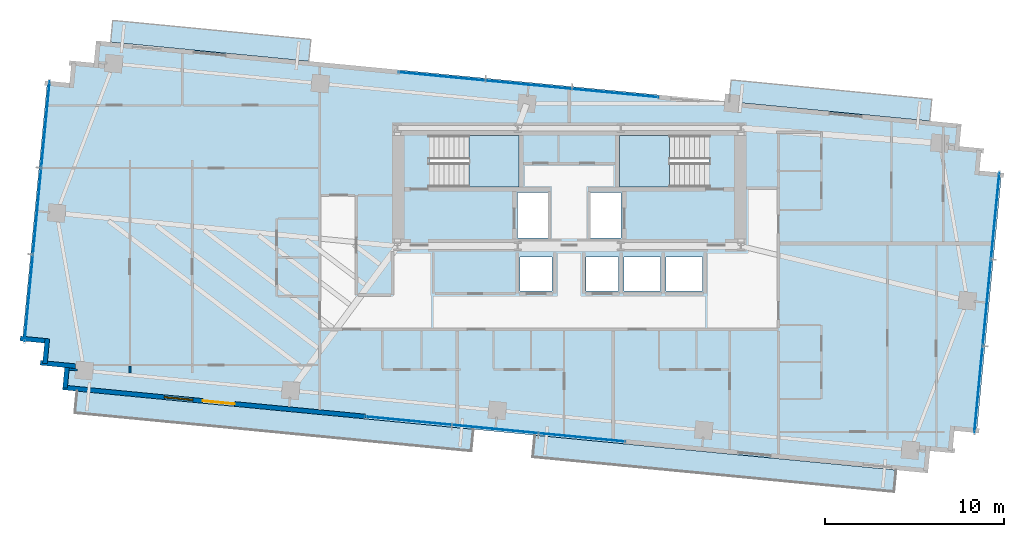
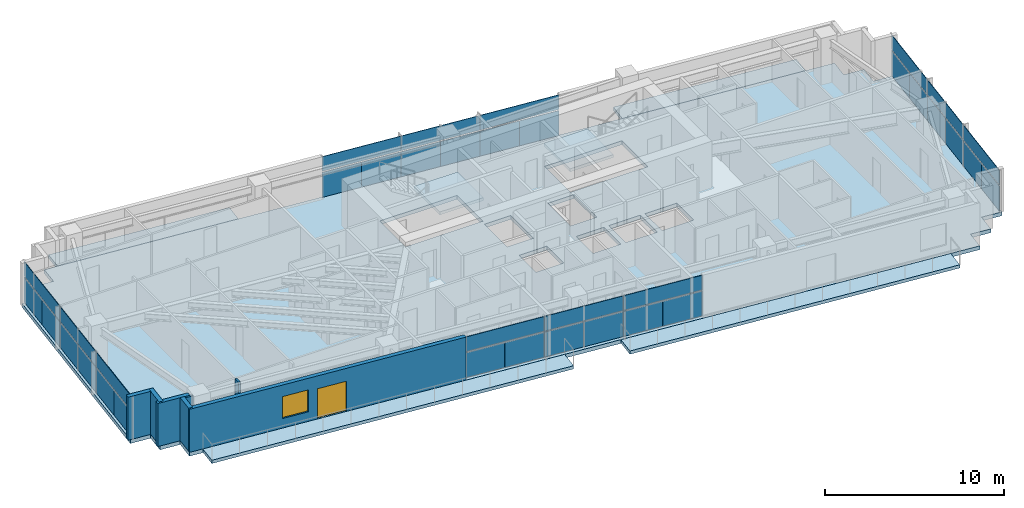
# One storey, part 13 of 19: 36 plates, 7 slabs, 7 walls, 1 door, 1 window, 2 openings, 6 elements without a shape of their own.
"""IFC4 building model written with IfcOpenShell, lengths in metres."""

from ifc_helpers import new_model, si_unit, direction, frame, frame_2d, origin, origin_2d, place, context, subcontext, project, spatial, polyline, rectangle, outline, extrude, source, transform, mapped, material, layer, layer_set, type_object, type_shapes, element, fill, aggregate, save


model = new_model("IFC4")

# Units and contexts
model_context = context("Model", 3, precision=1e-05, world=origin(), true_north=direction((0.0, 1.0)))
body_context = subcontext(model_context, "Body", "Model", "MODEL_VIEW")
ifc_project = project(units=[si_unit("LENGTHUNIT", "METRE"), si_unit("AREAUNIT", "SQUARE_METRE"), si_unit("VOLUMEUNIT", "CUBIC_METRE"), si_unit("PLANEANGLEUNIT", "RADIAN"), si_unit("MASSUNIT", "GRAM", prefix="KILO")], contexts=[model_context])

# Site, building, storey
site_placement = place(None, origin())
site = spatial("IfcSite", under=ifc_project, at=site_placement, CompositionType="ELEMENT")
building_placement = place(site_placement, origin())
building = spatial("IfcBuilding", under=site, at=building_placement, Name="Astriad Promenade Condominiums", CompositionType="ELEMENT")
storey_placement = place(building_placement, frame((0.0, 0.0, 140.60009765625)))
storey = spatial("IfcBuildingStorey", under=building, at=storey_placement, Name="L40", CompositionType="ELEMENT", Elevation=140.60009765625)

# Slab
ifc_material_1 = material(Name="Concrete C50/60", Category="concrete")
ifc_layer_1 = layer(ifc_material_1, 0.260009765625)
ifc_layer_set_1 = layer_set([ifc_layer_1], Name="Concrete C50/60")
slab_type_1 = type_object("IfcSlabType", Name="CONCRETE TOWER FLOOR SLAB 260", PredefinedType="FLOOR", material=ifc_layer_set_1)
slab_1_placement = place(storey_placement, frame((0.0, 0.0, -0.260009765625)))
element("IfcSlab", 1, at=slab_1_placement, inside=storey, type_object=slab_type_1, Name="Structural Floor Slab (L40)", PredefinedType="FLOOR", context=body_context, shape_type="SweptSolid", body=[
    extrude(outline(polyline([(7.672607421875, 9.374267578125), (56.048828125, 4.716064453125), (56.168701171875, 5.960205078125), (57.412841796875, 5.840576171875), (57.53271484375, 7.084716796875), (58.77685546875, 6.96484375), (60.17626953125, 21.497802734375), (58.931884765625, 21.617431640625), (59.052001953125, 22.86181640625), (57.8076171875, 22.981689453125), (57.927490234375, 24.225830078125), (9.55126953125, 28.8837890625), (9.431396484375, 27.6396484375), (8.18701171875, 27.759521484375), (8.0673828125, 26.515380859375), (6.822998046875, 26.635009765625), (5.423583984375, 12.102294921875), (6.66796875, 11.982421875), (6.548095703125, 10.73828125), (7.79248046875, 10.618408203125), (7.672607421875, 9.374267578125)]), holes=[polyline([(28.175048828125, 20.699951171875), (33.175048828125, 20.699951171875), (33.175048828125, 23.60009765625), (28.175048828125, 23.60009765625), (28.175048828125, 20.699951171875)]), polyline([(38.824951171875, 20.699951171875), (43.824951171875, 20.699951171875), (43.824951171875, 23.60009765625), (38.824951171875, 23.60009765625), (38.824951171875, 20.699951171875)]), polyline([(33.10009765625, 17.85009765625), (34.800048828125, 17.85009765625), (34.800048828125, 20.39990234375), (33.10009765625, 20.39990234375), (33.10009765625, 17.85009765625)]), polyline([(37.199951171875, 17.85009765625), (38.89990234375, 17.85009765625), (38.89990234375, 20.39990234375), (37.199951171875, 20.39990234375), (37.199951171875, 17.85009765625)]), polyline([(33.25, 14.89990234375), (35.050048828125, 14.89990234375), (35.050048828125, 16.800048828125), (33.25, 16.800048828125), (33.25, 14.89990234375)]), polyline([(36.949951171875, 14.89990234375), (38.75, 14.89990234375), (38.75, 16.800048828125), (36.949951171875, 16.800048828125), (36.949951171875, 14.89990234375)]), polyline([(39.050048828125, 14.89990234375), (41.10009765625, 14.89990234375), (41.10009765625, 16.800048828125), (39.050048828125, 16.800048828125), (39.050048828125, 14.89990234375)]), polyline([(41.39990234375, 14.89990234375), (43.449951171875, 14.89990234375), (43.449951171875, 16.800048828125), (41.39990234375, 16.800048828125), (41.39990234375, 14.89990234375)])]), origin(), (0.0, 0.0, 1.0), 0.260009765625),
])

# Stair, slab
stair_type = type_object("IfcStairType", Name="STR-CORE-1350", PredefinedType="HALF_TURN_STAIR", material=ifc_material_1)
stair_1_placement = place(storey_placement, origin())
stair_1 = element("IfcStair", 2, at=stair_1_placement, inside=storey, type_object=stair_type, Name="L40 Enclosed Core Exit Stair ST-1", PredefinedType="HALF_TURN_STAIR")
ifc_layer_2 = layer(ifc_material_1, 0.219970703125)
ifc_layer_set_2 = layer_set([ifc_layer_2], Name="Concrete C50/60")
slab_type_2 = type_object("IfcSlabType", Name="SLB-LANDING-220", PredefinedType="LANDING", material=ifc_layer_set_2)
slab_2_placement = place(storey_placement, frame((0.0, 0.0, 1.39990234375)))
slab_2 = element("IfcSlab", 3, at=slab_2_placement, type_object=slab_type_2, Name="ST-1 landing 1", PredefinedType="LANDING", context=body_context, shape_type="SweptSolid", body=[
    extrude(outline(polyline([(30.389892578125, 20.699951171875), (33.199951171875, 20.699951171875), (33.199951171875, 23.60009765625), (30.389892578125, 23.60009765625), (30.389892578125, 20.699951171875)])), origin(), (0.0, 0.0, 1.0), 0.199951171875),
])
aggregate(stair_1, [slab_2])

stair_2_placement = place(storey_placement, origin())
stair_2 = element("IfcStair", 4, at=stair_2_placement, inside=storey, type_object=stair_type, Name="L40 Enclosed Core Exit Stair ST-2", PredefinedType="HALF_TURN_STAIR")
slab_3_placement = place(storey_placement, frame((0.0, 0.0, 1.39990234375)))
slab_3 = element("IfcSlab", 5, at=slab_3_placement, type_object=slab_type_2, Name="ST-2 landing 1", PredefinedType="LANDING", context=body_context, shape_type="SweptSolid", body=[
    extrude(outline(polyline([(41.610107421875, 23.60009765625), (38.800048828125, 23.60009765625), (38.800048828125, 20.699951171875), (41.610107421875, 20.699951171875), (41.610107421875, 23.60009765625)])), origin(), (0.0, 0.0, 1.0), 0.199951171875),
])
aggregate(stair_2, [slab_3])

# Slabs
ifc_material_2 = material(Name="Precast concrete C50/60", Category="concrete")
ifc_layer_3 = layer(ifc_material_2, 0.219970703125)
ifc_layer_set_3 = layer_set([ifc_layer_3], Name="Precast concrete C50/60")
slab_type_3 = type_object("IfcSlabType", Name="WHITE PRECAST CONCRETE WAVE BALCONY SLAB 220", PredefinedType="FLOOR", material=ifc_layer_set_3)
slab_4_placement = place(storey_placement, frame((0.0, 0.0, -0.22021484375)))
element("IfcSlab", 6, at=slab_4_placement, inside=storey, type_object=slab_type_3, Name="White Precast Wave Balcony Slab BAL-L40-SW", PredefinedType="FLOOR", context=body_context, shape_type="SweptSolid", body=[
    extrude(outline(polyline([(30.517578125, 5.94873046875), (8.367919921875, 8.08154296875), (8.484619140625, 9.2939453125), (30.63427734375, 7.1611328125), (30.517578125, 5.94873046875)])), origin(), (0.0, 0.0, 1.0), 0.22021484375),
])
slab_5_placement = place(storey_placement, frame((0.0, 0.0, -0.22021484375)))
element("IfcSlab", 7, at=slab_5_placement, inside=storey, type_object=slab_type_3, Name="White Precast Wave Balcony Slab BAL-L40-SE", PredefinedType="FLOOR", context=body_context, shape_type="SweptSolid", body=[
    extrude(outline(polyline([(54.154052734375, 3.6728515625), (33.96044921875, 5.6171875), (34.077392578125, 6.82958984375), (54.27099609375, 4.88525390625), (54.154052734375, 3.6728515625)])), origin(), (0.0, 0.0, 1.0), 0.22021484375),
])
slab_6_placement = place(storey_placement, frame((0.0, 0.0, -0.22021484375)))
element("IfcSlab", 8, at=slab_6_placement, inside=storey, type_object=slab_type_3, Name="White Precast Wave Balcony Slab BAL-L40-NW", PredefinedType="FLOOR", context=body_context, shape_type="SweptSolid", body=[
    extrude(outline(polyline([(10.480224609375, 30.02001953125), (21.552978515625, 28.953857421875), (21.436279296875, 27.741455078125), (10.363525390625, 28.8076171875), (10.480224609375, 30.02001953125)])), origin(), (0.0, 0.0, 1.0), 0.22021484375),
])
slab_7_placement = place(storey_placement, frame((0.0, 0.0, -0.22021484375)))
element("IfcSlab", 9, at=slab_7_placement, inside=storey, type_object=slab_type_3, Name="White Precast Wave Balcony Slab BAL-L40-NE", PredefinedType="FLOOR", context=body_context, shape_type="SweptSolid", body=[
    extrude(outline(polyline([(44.9375, 25.4765625), (56.149658203125, 24.39697265625), (56.2666015625, 25.611328125), (45.054443359375, 26.69091796875), (44.9375, 25.4765625)])), origin(), (0.0, 0.0, 1.0), 0.22021484375),
])

# Curtain wall, plates
ifc_material_3 = material(Name="Anodised aluminium Black Dark Glass Unitised", Category="aluminium")
curtain_wall_type = type_object("IfcCurtainWallType", Name="CW-B34-DARK", PredefinedType="USERDEFINED", material=ifc_material_3)
curtain_wall_1_placement = place(storey_placement, origin())
curtain_wall_1 = element("IfcCurtainWall", 10, at=curtain_wall_1_placement, inside=storey, type_object=curtain_wall_type, Name="CW-L40-W", ObjectType="UNITISED_CURTAIN_WALL", PredefinedType="USERDEFINED")
ifc_material_4 = material(Name="Dark Tinted Low-E Laminated Glass", Category="glass")
ifc_layer_4 = layer(ifc_material_4, 0.035888671875)
ifc_layer_set_4 = layer_set([ifc_layer_4], Name="Dark Tinted Low-E Laminated Glass")
plate_type = type_object("IfcPlateType", Name="PNL-DARK-GLASS-36", PredefinedType="CURTAIN_PANEL", material=ifc_layer_set_4)
shared_shape_1 = source(origin(), body_context, "Body", "SweptSolid", [
    extrude(rectangle(XDim=2.42138671875, YDim=0.035888671875, at=origin_2d()), origin(), (0.0, 0.0, 1.0), 1.702880859375),
])
plate_1_placement = place(storey_placement, frame((5.669677734375, 13.30078125, 0.080078125), z_axis=(0.0, 0.0, 1.0), x_axis=(0.09584575252, 0.995396198367, 0.0)))
plate_1 = element("IfcPlate", 11, at=plate_1_placement, type_object=plate_type, Name="CW-L40-W-PNL-00-VL", PredefinedType="CURTAIN_PANEL", context=body_context, shape_type="MappedRepresentation", body=[
    mapped(shared_shape_1, transform((0.0, 0.0, 0.0), scale=1.0)),
])
plate_2_placement = place(storey_placement, frame((5.903076171875, 15.722900390625, 0.080078125), z_axis=(0.0, 0.0, 1.0), x_axis=(0.09584575252, 0.995396198367, 0.0)))
plate_2 = element("IfcPlate", 12, at=plate_2_placement, type_object=plate_type, Name="CW-L40-W-PNL-00-VR", PredefinedType="CURTAIN_PANEL", context=body_context, shape_type="MappedRepresentation", body=[
    mapped(shared_shape_1, transform((0.0, 0.0, 0.0), scale=1.0)),
])
plate_3_placement = place(storey_placement, frame((6.13623046875, 18.145263671875, 0.080078125), z_axis=(0.0, 0.0, 1.0), x_axis=(0.09584575252, 0.995396198367, 0.0)))
plate_3 = element("IfcPlate", 13, at=plate_3_placement, type_object=plate_type, Name="CW-L40-W-PNL-01-VL", PredefinedType="CURTAIN_PANEL", context=body_context, shape_type="MappedRepresentation", body=[
    mapped(shared_shape_1, transform((0.0, 0.0, 0.0), scale=1.0)),
])
plate_4_placement = place(storey_placement, frame((6.369384765625, 20.5673828125, 0.080078125), z_axis=(0.0, 0.0, 1.0), x_axis=(0.09584575252, 0.995396198367, 0.0)))
plate_4 = element("IfcPlate", 14, at=plate_4_placement, type_object=plate_type, Name="CW-L40-W-PNL-01-VR", PredefinedType="CURTAIN_PANEL", context=body_context, shape_type="MappedRepresentation", body=[
    mapped(shared_shape_1, transform((0.0, 0.0, 0.0), scale=1.0)),
])
plate_5_placement = place(storey_placement, frame((6.6025390625, 22.989501953125, 0.080078125), z_axis=(0.0, 0.0, 1.0), x_axis=(0.09584575252, 0.995396198367, 0.0)))
plate_5 = element("IfcPlate", 15, at=plate_5_placement, type_object=plate_type, Name="CW-L40-W-PNL-02-VL", PredefinedType="CURTAIN_PANEL", context=body_context, shape_type="MappedRepresentation", body=[
    mapped(shared_shape_1, transform((0.0, 0.0, 0.0), scale=1.0)),
])
plate_6_placement = place(storey_placement, frame((6.8359375, 25.41162109375, 0.080078125), z_axis=(0.0, 0.0, 1.0), x_axis=(0.09584575252, 0.995396198367, 0.0)))
plate_6 = element("IfcPlate", 16, at=plate_6_placement, type_object=plate_type, Name="CW-L40-W-PNL-02-VR", PredefinedType="CURTAIN_PANEL", context=body_context, shape_type="MappedRepresentation", body=[
    mapped(shared_shape_1, transform((0.0, 0.0, 0.0), scale=1.0)),
])

curtain_wall_2_placement = place(storey_placement, origin())
curtain_wall_2 = element("IfcCurtainWall", 17, at=curtain_wall_2_placement, inside=storey, type_object=curtain_wall_type, Name="CW-L40-E", ObjectType="UNITISED_CURTAIN_WALL", PredefinedType="USERDEFINED")
plate_7_placement = place(storey_placement, frame((59.930419921875, 20.299072265625, 0.080078125), z_axis=(0.0, 0.0, 1.0), x_axis=(-0.09584575252, -0.995396198367, 0.0)))
plate_7 = element("IfcPlate", 18, at=plate_7_placement, type_object=plate_type, Name="CW-L40-E-PNL-00-VL", PredefinedType="CURTAIN_PANEL", context=body_context, shape_type="MappedRepresentation", body=[
    mapped(shared_shape_1, transform((0.0, 0.0, 0.0), scale=1.0)),
])
plate_8_placement = place(storey_placement, frame((59.697021484375, 17.876953125, 0.080078125), z_axis=(0.0, 0.0, 1.0), x_axis=(-0.09584575252, -0.995396198367, 0.0)))
plate_8 = element("IfcPlate", 19, at=plate_8_placement, type_object=plate_type, Name="CW-L40-E-PNL-00-VR", PredefinedType="CURTAIN_PANEL", context=body_context, shape_type="MappedRepresentation", body=[
    mapped(shared_shape_1, transform((0.0, 0.0, 0.0), scale=1.0)),
])
plate_9_placement = place(storey_placement, frame((59.4638671875, 15.454833984375, 0.080078125), z_axis=(0.0, 0.0, 1.0), x_axis=(-0.09584575252, -0.995396198367, 0.0)))
plate_9 = element("IfcPlate", 20, at=plate_9_placement, type_object=plate_type, Name="CW-L40-E-PNL-01-VL", PredefinedType="CURTAIN_PANEL", context=body_context, shape_type="MappedRepresentation", body=[
    mapped(shared_shape_1, transform((0.0, 0.0, 0.0), scale=1.0)),
])
plate_10_placement = place(storey_placement, frame((59.230712890625, 13.03271484375, 0.080078125), z_axis=(0.0, 0.0, 1.0), x_axis=(-0.09584575252, -0.995396198367, 0.0)))
plate_10 = element("IfcPlate", 21, at=plate_10_placement, type_object=plate_type, Name="CW-L40-E-PNL-01-VR", PredefinedType="CURTAIN_PANEL", context=body_context, shape_type="MappedRepresentation", body=[
    mapped(shared_shape_1, transform((0.0, 0.0, 0.0), scale=1.0)),
])
plate_11_placement = place(storey_placement, frame((58.997314453125, 10.610595703125, 0.080078125), z_axis=(0.0, 0.0, 1.0), x_axis=(-0.09584575252, -0.995396198367, 0.0)))
plate_11 = element("IfcPlate", 22, at=plate_11_placement, type_object=plate_type, Name="CW-L40-E-PNL-02-VL", PredefinedType="CURTAIN_PANEL", context=body_context, shape_type="MappedRepresentation", body=[
    mapped(shared_shape_1, transform((0.0, 0.0, 0.0), scale=1.0)),
])
plate_12_placement = place(storey_placement, frame((58.76416015625, 8.1884765625, 0.080078125), z_axis=(0.0, 0.0, 1.0), x_axis=(-0.09584575252, -0.995396198367, 0.0)))
plate_12 = element("IfcPlate", 23, at=plate_12_placement, type_object=plate_type, Name="CW-L40-E-PNL-02-VR", PredefinedType="CURTAIN_PANEL", context=body_context, shape_type="MappedRepresentation", body=[
    mapped(shared_shape_1, transform((0.0, 0.0, 0.0), scale=1.0)),
])

# Plate
shared_shape_2 = source(origin(), body_context, "Body", "SweptSolid", [
    extrude(rectangle(XDim=4.854736328125, YDim=0.035888671875, at=origin_2d()), origin(), (0.0, 0.0, 1.0), 0.997314453125),
])
plate_13_placement = place(storey_placement, frame((5.786376953125, 14.511962890625, 1.86279296875), z_axis=(0.0, 0.0, 1.0), x_axis=(0.09584575252, 0.995396198367, 0.0)))
plate_13 = element("IfcPlate", 24, at=plate_13_placement, type_object=plate_type, Name="CW-L40-W-PNL-00-S", PredefinedType="CURTAIN_PANEL", context=body_context, shape_type="MappedRepresentation", body=[
    mapped(shared_shape_2, transform((0.0, 0.0, 0.0), scale=1.0)),
])

plate_14_placement = place(storey_placement, frame((6.252685546875, 19.356201171875, 1.86279296875), z_axis=(0.0, 0.0, 1.0), x_axis=(0.09584575252, 0.995396198367, 0.0)))
plate_14 = element("IfcPlate", 25, at=plate_14_placement, type_object=plate_type, Name="CW-L40-W-PNL-01-S", PredefinedType="CURTAIN_PANEL", context=body_context, shape_type="MappedRepresentation", body=[
    mapped(shared_shape_2, transform((0.0, 0.0, 0.0), scale=1.0)),
])

plate_15_placement = place(storey_placement, frame((6.71923828125, 24.200439453125, 1.86279296875), z_axis=(0.0, 0.0, 1.0), x_axis=(0.09584575252, 0.995396198367, 0.0)))
plate_15 = element("IfcPlate", 26, at=plate_15_placement, type_object=plate_type, Name="CW-L40-W-PNL-02-S", PredefinedType="CURTAIN_PANEL", context=body_context, shape_type="MappedRepresentation", body=[
    mapped(shared_shape_2, transform((0.0, 0.0, 0.0), scale=1.0)),
])

aggregate(curtain_wall_1, [plate_1, plate_2, plate_13, plate_3, plate_4, plate_14, plate_5, plate_6, plate_15])

plate_16_placement = place(storey_placement, frame((59.813720703125, 19.088134765625, 1.86279296875), z_axis=(0.0, 0.0, 1.0), x_axis=(-0.09584575252, -0.995396198367, 0.0)))
plate_16 = element("IfcPlate", 27, at=plate_16_placement, type_object=plate_type, Name="CW-L40-E-PNL-00-S", PredefinedType="CURTAIN_PANEL", context=body_context, shape_type="MappedRepresentation", body=[
    mapped(shared_shape_2, transform((0.0, 0.0, 0.0), scale=1.0)),
])

plate_17_placement = place(storey_placement, frame((59.34716796875, 14.243896484375, 1.86279296875), z_axis=(0.0, 0.0, 1.0), x_axis=(-0.09584575252, -0.995396198367, 0.0)))
plate_17 = element("IfcPlate", 28, at=plate_17_placement, type_object=plate_type, Name="CW-L40-E-PNL-01-S", PredefinedType="CURTAIN_PANEL", context=body_context, shape_type="MappedRepresentation", body=[
    mapped(shared_shape_2, transform((0.0, 0.0, 0.0), scale=1.0)),
])

plate_18_placement = place(storey_placement, frame((58.880615234375, 9.3994140625, 1.86279296875), z_axis=(0.0, 0.0, 1.0), x_axis=(-0.09584575252, -0.995396198367, 0.0)))
plate_18 = element("IfcPlate", 29, at=plate_18_placement, type_object=plate_type, Name="CW-L40-E-PNL-02-S", PredefinedType="CURTAIN_PANEL", context=body_context, shape_type="MappedRepresentation", body=[
    mapped(shared_shape_2, transform((0.0, 0.0, 0.0), scale=1.0)),
])

aggregate(curtain_wall_2, [plate_7, plate_8, plate_16, plate_9, plate_10, plate_17, plate_11, plate_12, plate_18])

# Curtain wall, plates
curtain_wall_3_placement = place(storey_placement, origin())
curtain_wall_3 = element("IfcCurtainWall", 30, at=curtain_wall_3_placement, inside=storey, type_object=curtain_wall_type, Name="CW-L40-N", ObjectType="UNITISED_CURTAIN_WALL", PredefinedType="USERDEFINED")
shared_shape_3 = source(origin(), body_context, "Body", "SweptSolid", [
    extrude(rectangle(XDim=2.41796875, YDim=0.035888671875, at=origin_2d()), origin(), (0.0, 0.0, 1.0), 1.702880859375),
])
plate_19_placement = place(storey_placement, frame((27.6796875, 27.0078125, 0.080078125), z_axis=(0.0, 0.0, 1.0), x_axis=(0.995396198367, -0.09584575252, 0.0)))
plate_19 = element("IfcPlate", 31, at=plate_19_placement, type_object=plate_type, Name="CW-L40-N-PNL-00-VL", PredefinedType="CURTAIN_PANEL", context=body_context, shape_type="MappedRepresentation", body=[
    mapped(shared_shape_3, transform((0.0, 0.0, 0.0), scale=1.0)),
])
plate_20_placement = place(storey_placement, frame((30.0986328125, 26.77490234375, 0.080078125), z_axis=(0.0, 0.0, 1.0), x_axis=(0.995396198367, -0.09584575252, 0.0)))
plate_20 = element("IfcPlate", 32, at=plate_20_placement, type_object=plate_type, Name="CW-L40-N-PNL-00-VR", PredefinedType="CURTAIN_PANEL", context=body_context, shape_type="MappedRepresentation", body=[
    mapped(shared_shape_3, transform((0.0, 0.0, 0.0), scale=1.0)),
])
plate_21_placement = place(storey_placement, frame((32.517333984375, 26.5419921875, 0.080078125), z_axis=(0.0, 0.0, 1.0), x_axis=(0.995396198367, -0.09584575252, 0.0)))
plate_21 = element("IfcPlate", 33, at=plate_21_placement, type_object=plate_type, Name="CW-L40-N-PNL-01-VL", PredefinedType="CURTAIN_PANEL", context=body_context, shape_type="MappedRepresentation", body=[
    mapped(shared_shape_3, transform((0.0, 0.0, 0.0), scale=1.0)),
])
plate_22_placement = place(storey_placement, frame((34.936279296875, 26.30908203125, 0.080078125), z_axis=(0.0, 0.0, 1.0), x_axis=(0.995396198367, -0.09584575252, 0.0)))
plate_22 = element("IfcPlate", 34, at=plate_22_placement, type_object=plate_type, Name="CW-L40-N-PNL-01-VR", PredefinedType="CURTAIN_PANEL", context=body_context, shape_type="MappedRepresentation", body=[
    mapped(shared_shape_3, transform((0.0, 0.0, 0.0), scale=1.0)),
])
plate_23_placement = place(storey_placement, frame((37.35498046875, 26.075927734375, 0.080078125), z_axis=(0.0, 0.0, 1.0), x_axis=(0.995396198367, -0.09584575252, 0.0)))
plate_23 = element("IfcPlate", 35, at=plate_23_placement, type_object=plate_type, Name="CW-L40-N-PNL-02-VL", PredefinedType="CURTAIN_PANEL", context=body_context, shape_type="MappedRepresentation", body=[
    mapped(shared_shape_3, transform((0.0, 0.0, 0.0), scale=1.0)),
])
plate_24_placement = place(storey_placement, frame((39.77392578125, 25.84326171875, 0.080078125), z_axis=(0.0, 0.0, 1.0), x_axis=(0.995396198367, -0.09584575252, 0.0)))
plate_24 = element("IfcPlate", 36, at=plate_24_placement, type_object=plate_type, Name="CW-L40-N-PNL-02-VR", PredefinedType="CURTAIN_PANEL", context=body_context, shape_type="MappedRepresentation", body=[
    mapped(shared_shape_3, transform((0.0, 0.0, 0.0), scale=1.0)),
])

curtain_wall_4_placement = place(storey_placement, origin())
curtain_wall_4 = element("IfcCurtainWall", 37, at=curtain_wall_4_placement, inside=storey, type_object=curtain_wall_type, Name="CW-L40-S", ObjectType="UNITISED_CURTAIN_WALL", PredefinedType="USERDEFINED")
plate_25_placement = place(storey_placement, frame((37.920166015625, 6.59228515625, 0.080078125), z_axis=(0.0, 0.0, 1.0), x_axis=(-0.995396198367, 0.09584575252, 0.0)))
plate_25 = element("IfcPlate", 38, at=plate_25_placement, type_object=plate_type, Name="CW-L40-S-PNL-00-VL", PredefinedType="CURTAIN_PANEL", context=body_context, shape_type="MappedRepresentation", body=[
    mapped(shared_shape_3, transform((0.0, 0.0, 0.0), scale=1.0)),
])
plate_26_placement = place(storey_placement, frame((35.50146484375, 6.8251953125, 0.080078125), z_axis=(0.0, 0.0, 1.0), x_axis=(-0.995396198367, 0.09584575252, 0.0)))
plate_26 = element("IfcPlate", 39, at=plate_26_placement, type_object=plate_type, Name="CW-L40-S-PNL-00-VR", PredefinedType="CURTAIN_PANEL", context=body_context, shape_type="MappedRepresentation", body=[
    mapped(shared_shape_3, transform((0.0, 0.0, 0.0), scale=1.0)),
])
plate_27_placement = place(storey_placement, frame((33.08251953125, 7.05810546875, 0.080078125), z_axis=(0.0, 0.0, 1.0), x_axis=(-0.995396198367, 0.09584575252, 0.0)))
plate_27 = element("IfcPlate", 40, at=plate_27_placement, type_object=plate_type, Name="CW-L40-S-PNL-01-VL", PredefinedType="CURTAIN_PANEL", context=body_context, shape_type="MappedRepresentation", body=[
    mapped(shared_shape_3, transform((0.0, 0.0, 0.0), scale=1.0)),
])
plate_28_placement = place(storey_placement, frame((30.663818359375, 7.291015625, 0.080078125), z_axis=(0.0, 0.0, 1.0), x_axis=(-0.995396198367, 0.09584575252, 0.0)))
plate_28 = element("IfcPlate", 41, at=plate_28_placement, type_object=plate_type, Name="CW-L40-S-PNL-01-VR", PredefinedType="CURTAIN_PANEL", context=body_context, shape_type="MappedRepresentation", body=[
    mapped(shared_shape_3, transform((0.0, 0.0, 0.0), scale=1.0)),
])
plate_29_placement = place(storey_placement, frame((28.244873046875, 7.52392578125, 0.080078125), z_axis=(0.0, 0.0, 1.0), x_axis=(-0.995396198367, 0.09584575252, 0.0)))
plate_29 = element("IfcPlate", 42, at=plate_29_placement, type_object=plate_type, Name="CW-L40-S-PNL-02-VL", PredefinedType="CURTAIN_PANEL", context=body_context, shape_type="MappedRepresentation", body=[
    mapped(shared_shape_3, transform((0.0, 0.0, 0.0), scale=1.0)),
])
plate_30_placement = place(storey_placement, frame((25.826171875, 7.7568359375, 0.080078125), z_axis=(0.0, 0.0, 1.0), x_axis=(-0.995396198367, 0.09584575252, 0.0)))
plate_30 = element("IfcPlate", 43, at=plate_30_placement, type_object=plate_type, Name="CW-L40-S-PNL-02-VR", PredefinedType="CURTAIN_PANEL", context=body_context, shape_type="MappedRepresentation", body=[
    mapped(shared_shape_3, transform((0.0, 0.0, 0.0), scale=1.0)),
])

# Plate
shared_shape_4 = source(origin(), body_context, "Body", "SweptSolid", [
    extrude(rectangle(XDim=4.847900390625, YDim=0.035888671875, at=origin_2d()), origin(), (0.0, 0.0, 1.0), 0.997314453125),
])
type_shapes(plate_type, [shared_shape_1, shared_shape_2, shared_shape_3, shared_shape_4])
plate_31_placement = place(storey_placement, frame((28.88916015625, 26.891357421875, 1.86279296875), z_axis=(0.0, 0.0, 1.0), x_axis=(0.995396198367, -0.09584575252, 0.0)))
plate_31 = element("IfcPlate", 44, at=plate_31_placement, type_object=plate_type, Name="CW-L40-N-PNL-00-S", PredefinedType="CURTAIN_PANEL", context=body_context, shape_type="MappedRepresentation", body=[
    mapped(shared_shape_4, transform((0.0, 0.0, 0.0), scale=1.0)),
])

plate_32_placement = place(storey_placement, frame((33.726806640625, 26.42529296875, 1.86279296875), z_axis=(0.0, 0.0, 1.0), x_axis=(0.995396198367, -0.09584575252, 0.0)))
plate_32 = element("IfcPlate", 45, at=plate_32_placement, type_object=plate_type, Name="CW-L40-N-PNL-01-S", PredefinedType="CURTAIN_PANEL", context=body_context, shape_type="MappedRepresentation", body=[
    mapped(shared_shape_4, transform((0.0, 0.0, 0.0), scale=1.0)),
])

plate_33_placement = place(storey_placement, frame((38.564453125, 25.959716796875, 1.86279296875), z_axis=(0.0, 0.0, 1.0), x_axis=(0.995396198367, -0.09584575252, 0.0)))
plate_33 = element("IfcPlate", 46, at=plate_33_placement, type_object=plate_type, Name="CW-L40-N-PNL-02-S", PredefinedType="CURTAIN_PANEL", context=body_context, shape_type="MappedRepresentation", body=[
    mapped(shared_shape_4, transform((0.0, 0.0, 0.0), scale=1.0)),
])

aggregate(curtain_wall_3, [plate_19, plate_20, plate_31, plate_21, plate_22, plate_32, plate_23, plate_24, plate_33])

plate_34_placement = place(storey_placement, frame((36.710693359375, 6.708740234375, 1.86279296875), z_axis=(0.0, 0.0, 1.0), x_axis=(-0.995396198367, 0.09584575252, 0.0)))
plate_34 = element("IfcPlate", 47, at=plate_34_placement, type_object=plate_type, Name="CW-L40-S-PNL-00-S", PredefinedType="CURTAIN_PANEL", context=body_context, shape_type="MappedRepresentation", body=[
    mapped(shared_shape_4, transform((0.0, 0.0, 0.0), scale=1.0)),
])

plate_35_placement = place(storey_placement, frame((31.873291015625, 7.174560546875, 1.86279296875), z_axis=(0.0, 0.0, 1.0), x_axis=(-0.995396198367, 0.09584575252, 0.0)))
plate_35 = element("IfcPlate", 48, at=plate_35_placement, type_object=plate_type, Name="CW-L40-S-PNL-01-S", PredefinedType="CURTAIN_PANEL", context=body_context, shape_type="MappedRepresentation", body=[
    mapped(shared_shape_4, transform((0.0, 0.0, 0.0), scale=1.0)),
])

plate_36_placement = place(storey_placement, frame((27.035400390625, 7.640380859375, 1.86279296875), z_axis=(0.0, 0.0, 1.0), x_axis=(-0.995396198367, 0.09584575252, 0.0)))
plate_36 = element("IfcPlate", 49, at=plate_36_placement, type_object=plate_type, Name="CW-L40-S-PNL-02-S", PredefinedType="CURTAIN_PANEL", context=body_context, shape_type="MappedRepresentation", body=[
    mapped(shared_shape_4, transform((0.0, 0.0, 0.0), scale=1.0)),
])

aggregate(curtain_wall_4, [plate_25, plate_26, plate_34, plate_27, plate_28, plate_35, plate_29, plate_30, plate_36])

# Walls
ifc_layer_5 = layer(ifc_material_2, 0.260009765625)
ifc_layer_set_5 = layer_set([ifc_layer_5], Name="Precast concrete C50/60")
wall_type_1 = type_object("IfcWallType", Name="WALL-EXT-TWR-260", PredefinedType="STANDARD", material=ifc_layer_set_5)
wall_1_placement = place(storey_placement, frame((8.400146484375, 10.6904296875, 0.0), z_axis=(0.0, 0.0, 1.0), x_axis=(-0.995391147587, 0.095898192396, 0.0)))
element("IfcWall", 50, at=wall_1_placement, inside=storey, type_object=wall_type_1, Name="W-SER-L40-00", PredefinedType="STANDARD", context=body_context, shape_type="SweptSolid", body=[
    extrude(rectangle(XDim=1.97802734375, YDim=0.260009765625, at=frame_2d((0.989013671875, 0.0))), origin(), (0.0, 0.0, 1.0), 2.93994140625),
])
wall_2_placement = place(storey_placement, frame((6.6884765625, 10.840087890625, 0.0), z_axis=(0.0, 0.0, 1.0), x_axis=(0.09589913835, 0.995391056452, 0.0)))
element("IfcWall", 51, at=wall_2_placement, inside=storey, type_object=wall_type_1, Name="W-SER-L40-01", PredefinedType="STANDARD", context=body_context, shape_type="SweptSolid", body=[
    extrude(rectangle(XDim=1.39501953125, YDim=0.260009765625, at=frame_2d((0.697509765625, 0.0))), origin(), (0.0, 0.0, 1.0), 2.93994140625),
])
wall_3_placement = place(storey_placement, frame((6.6953125, 12.110595703125, 0.0), z_axis=(0.0, 0.0, 1.0), x_axis=(-0.99540614245, 0.095742423056, 0.0)))
element("IfcWall", 52, at=wall_3_placement, inside=storey, type_object=wall_type_1, Name="W-SER-L40-02", PredefinedType="STANDARD", context=body_context, shape_type="SweptSolid", body=[
    extrude(rectangle(XDim=1.394775390625, YDim=0.260009765625, at=frame_2d((0.697265625, 0.0))), origin(), (0.0, 0.0, 1.0), 2.93994140625),
])

# Wall, openings, door, window
wall_4_placement = place(storey_placement, frame((24.61669921875, 7.873291015625, 0.0), z_axis=(0.0, 0.0, 1.0), x_axis=(-0.995395976631, 0.095848055311, 0.0)))
wall_4 = element("IfcWall", 53, at=wall_4_placement, inside=storey, type_object=wall_type_1, Name="W-EXT-L40-S2", PredefinedType="STANDARD", context=body_context, shape_type="SweptSolid", body=[
    extrude(rectangle(XDim=17.010009765625, YDim=0.260009765625, at=frame_2d((8.5048828125, 0.0))), origin(), (0.0, 0.0, 1.0), 2.93994140625),
])
opening_1_placement = place(wall_4_placement, frame((7.35009765625, 0.0, 0.0)))
opening_1 = element("IfcOpeningElement", 54, at=opening_1_placement, cuts=wall_4, Name="Opening BD-1822-SLD", PredefinedType="OPENING", context=body_context, shape_type="SweptSolid", body=[
    extrude(rectangle(XDim=1.800048828125, YDim=2.06005859375, at=frame_2d((0.89990234375, 1.030029296875))), frame((0.0, 0.139892578125, 0.0), z_axis=(0.0, -1.0, 0.0), x_axis=(1.0, 0.0, 0.0)), (0.0, 0.0, 1.0), 0.280029296875),
])
opening_2_placement = place(wall_4_placement, frame((9.699951171875, 0.0, 0.64990234375)))
opening_2 = element("IfcOpeningElement", 55, at=opening_2_placement, cuts=wall_4, Name="Opening WIN-TWR-1620", PredefinedType="OPENING", context=body_context, shape_type="SweptSolid", body=[
    extrude(rectangle(XDim=1.60009765625, YDim=1.5, at=frame_2d((0.800048828125, 0.75))), frame((0.0, 0.139892578125, 0.0), z_axis=(0.0, -1.0, 0.0), x_axis=(1.0, 0.0, 0.0)), (0.0, 0.0, 1.0), 0.280029296875),
])
ifc_material_5 = material(Name="Thermally Broken Aluminium Sliding Balcony Door", Category="aluminium")
door_type = type_object("IfcDoorType", Name="BD-1822-SLD", OperationType="NOTDEFINED", PredefinedType="DOOR", material=ifc_material_5)
shared_shape_5 = source(origin(), body_context, "Body", "SweptSolid", [
    extrude(rectangle(XDim=1.800048828125, YDim=2.06005859375, at=frame_2d((0.89990234375, 1.030029296875))), frame((0.0, 0.02490234375, 0.0), z_axis=(0.0, -1.0, 0.0), x_axis=(1.0, 0.0, 0.0)), (0.0, 0.0, 1.0), 0.050048828125),
])
type_shapes(door_type, [shared_shape_5])
door_placement = place(opening_1_placement, origin())
door = element("IfcDoor", 56, at=door_placement, inside=storey, type_object=door_type, Name="BD-L40-SW", OperationType="SLIDING_TO_LEFT", OverallHeight=2.06005859375, OverallWidth=1.800048828125, PredefinedType="DOOR", context=body_context, shape_type="MappedRepresentation", body=[
    mapped(shared_shape_5, transform((0.0, 0.0, 0.0), scale=1.0)),
])
fill(opening_1, door)
ifc_material_6 = material(Name="Dark Tinted Triple-Glazed Aluminium Window", Category="aluminium")
window_type = type_object("IfcWindowType", Name="WIN-TWR-1620", PartitioningType="SINGLE_PANEL", PredefinedType="WINDOW", material=ifc_material_6)
shared_shape_6 = source(origin(), body_context, "Body", "SweptSolid", [
    extrude(rectangle(XDim=1.60009765625, YDim=1.5, at=frame_2d((0.800048828125, 0.75))), frame((0.0, 0.030029296875, 0.0), z_axis=(0.0, -1.0, 0.0), x_axis=(1.0, 0.0, 0.0)), (0.0, 0.0, 1.0), 0.06005859375),
])
type_shapes(window_type, [shared_shape_6])
window_placement = place(opening_2_placement, origin())
window = element("IfcWindow", 57, at=window_placement, inside=storey, type_object=window_type, Name="WIN-L40-SW", OverallHeight=1.5, OverallWidth=1.60009765625, PartitioningType="SINGLE_PANEL", PredefinedType="WINDOW", context=body_context, shape_type="MappedRepresentation", body=[
    mapped(shared_shape_6, transform((0.0, 0.0, 0.0), scale=1.0)),
])
fill(opening_2, window)

# Walls
wall_5_placement = place(storey_placement, frame((7.81298828125, 9.476318359375, 0.0), z_axis=(0.0, 0.0, 1.0), x_axis=(0.09576095695, 0.995404359607, 0.0)))
element("IfcWall", 58, at=wall_5_placement, inside=storey, type_object=wall_type_1, Name="W-SER-L40-19", PredefinedType="STANDARD", context=body_context, shape_type="SweptSolid", body=[
    extrude(rectangle(XDim=1.14990234375, YDim=0.260009765625, at=frame_2d((0.574951171875, 0.0))), origin(), (0.0, 0.0, 1.0), 2.93994140625),
])
ifc_material_7 = material(Name="Acoustic Metal-Stud Gypsum Partition")
ifc_layer_6 = layer(ifc_material_7, 0.1201171875)
ifc_layer_set_6 = layer_set([ifc_layer_6], Name="Acoustic Metal-Stud Gypsum Partition")
wall_type_2 = type_object("IfcWallType", Name="WALL-PART-120", PredefinedType="PARTITIONING", material=ifc_layer_set_6)
wall_6_placement = place(storey_placement, frame((11.43701171875, 10.30908203125, 0.0), z_axis=(0.0, 0.0, 1.0), x_axis=(0.0, 1.0, 0.0)))
element("IfcWall", 59, at=wall_6_placement, inside=storey, type_object=wall_type_2, Name="PT-L40-W1-WDV3", PredefinedType="PARTITIONING", context=body_context, shape_type="SweptSolid", body=[
    extrude(rectangle(XDim=0.3779296875, YDim=0.1201171875, at=frame_2d((0.18896484375, 0.0))), origin(), (0.0, 0.0, 1.0), 2.93994140625),
])
wall_7_placement = place(storey_placement, frame((8.502197265625, 10.479736328125, 0.0), z_axis=(0.0, 0.0, 1.0), x_axis=(-0.995384576284, 0.09596637586, 0.0)))
element("IfcWall", 60, at=wall_7_placement, inside=storey, type_object=wall_type_2, Name="PT-PIL-L40-PC01-8", PredefinedType="PARTITIONING", context=body_context, shape_type="SweptSolid", body=[
    extrude(rectangle(XDim=0.4580078125, YDim=0.1201171875, at=frame_2d((0.22900390625, 0.0))), origin(), (0.0, 0.0, 1.0), 2.93994140625),
])

save(model, "model.ifc")
